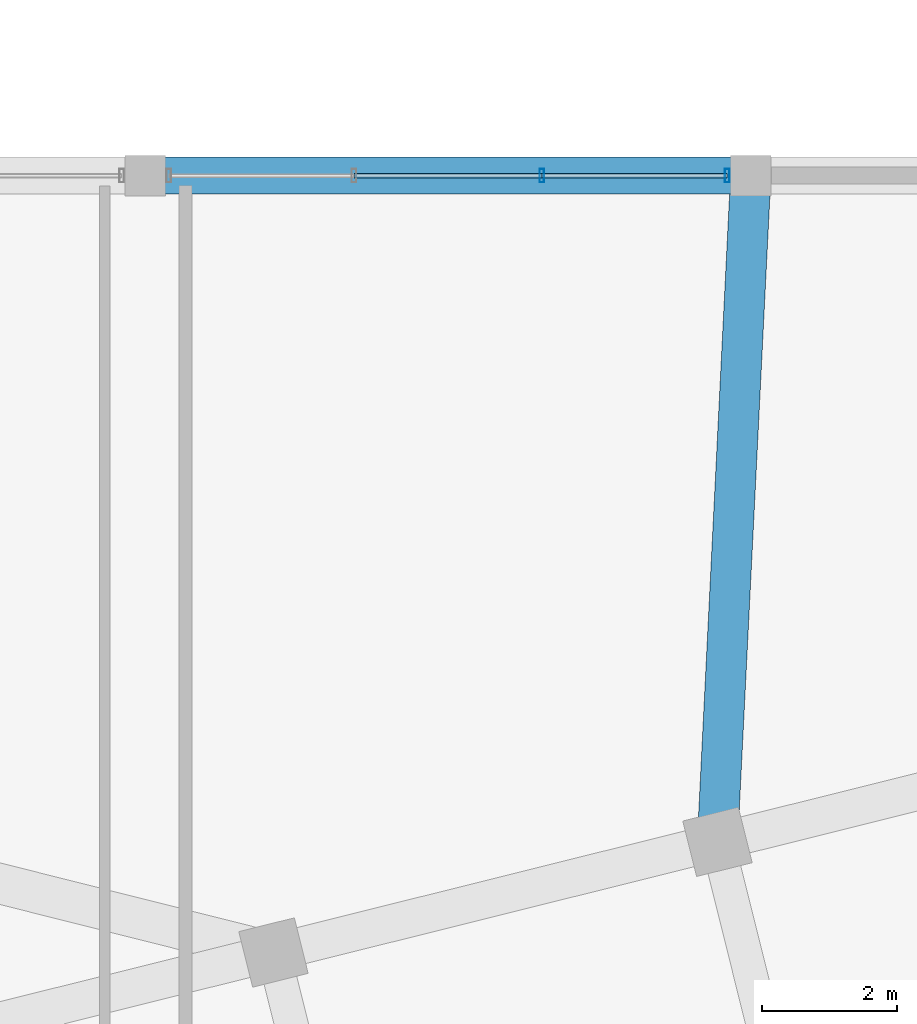
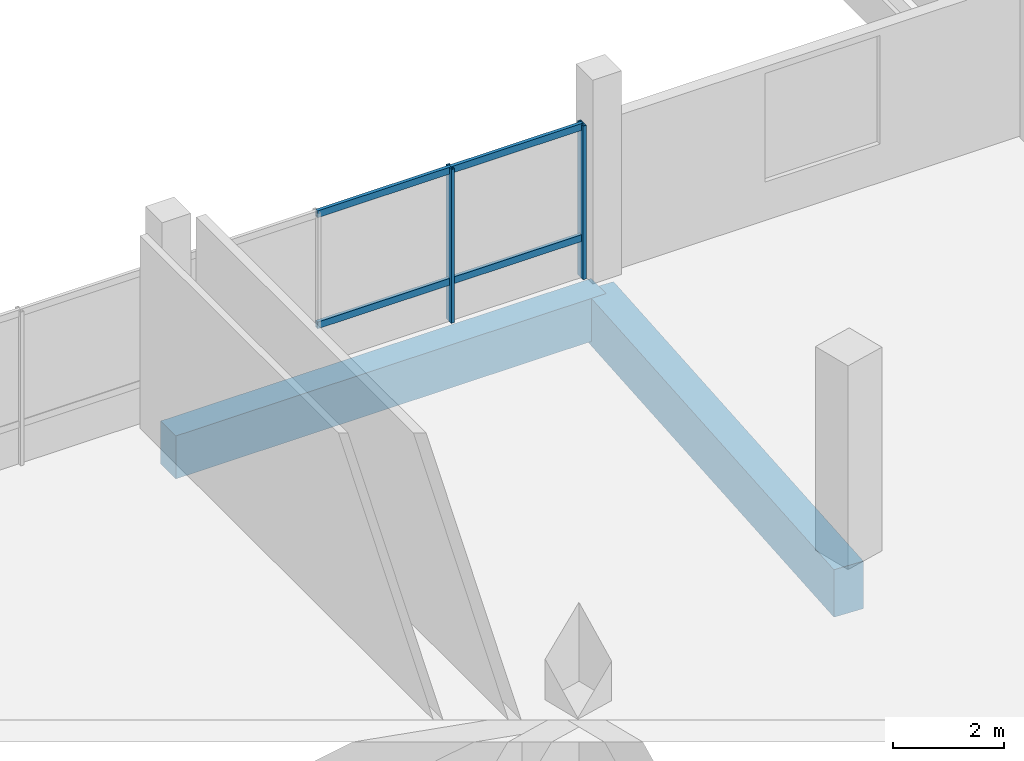
# One storey, part 41 of 77: 6 members, 2 beams, 1 element without a shape of its own.
"""IFC4 building model written with IfcOpenShell, lengths in metres."""

from ifc_helpers import new_model, si_unit, direction, frame, origin, origin_2d, place, context, subcontext, project, spatial, rectangle, hollow_rectangle, extrude, material, layer, layer_set, material_profile, profile_set, type_object, element, aggregate, save


model = new_model("IFC4")

# Units and contexts
model_context = context("Model", 3, precision=1e-05, world=origin(), true_north=direction((0.0, 1.0)))
body_context = subcontext(model_context, "Body", "Model", "MODEL_VIEW")
ifc_project = project(units=[si_unit("LENGTHUNIT", "METRE"), si_unit("AREAUNIT", "SQUARE_METRE"), si_unit("VOLUMEUNIT", "CUBIC_METRE"), si_unit("PLANEANGLEUNIT", "RADIAN"), si_unit("MASSUNIT", "GRAM", prefix="KILO")], contexts=[model_context])

# Site, building, storey
site_placement = place(None, origin())
site = spatial("IfcSite", under=ifc_project, at=site_placement, CompositionType="ELEMENT")
building_placement = place(site_placement, origin())
building = spatial("IfcBuilding", under=site, at=building_placement, Name="Meriwether Solvik Hall", CompositionType="ELEMENT")
storey_placement = place(building_placement, frame((0.0, 0.0, 9.89990234375)))
storey = spatial("IfcBuildingStorey", under=building, at=storey_placement, Name="L02", CompositionType="ELEMENT", Elevation=9.89990234375)

# Beams
ifc_material_1 = material(Name="Concrete C40/50", Category="concrete")
ifc_material_profile_1 = material_profile(ifc_material_1, rectangle(XDim=0.550048828125, YDim=0.949951171875, at=origin_2d()), Name="RCB-550X950")
ifc_profile_set_1 = profile_set([ifc_material_profile_1], Name="Concrete C40/50")
beam_type_1 = type_object("IfcBeamType", Name="BM-RC-550X950", PredefinedType="BEAM", material=ifc_profile_set_1)
beam_1_placement = place(storey_placement, frame((86.800048828125, 92.800048828125, -0.804931640625), z_axis=(1.0, 0.0, 0.0), x_axis=(0.0, 1.0, 0.0)))
element("IfcBeam", 1, at=beam_1_placement, inside=storey, type_object=beam_type_1, Name="Podium Girder K:10-11 (L02)", PredefinedType="BEAM", context=body_context, shape_type="SweptSolid", body=[
    extrude(rectangle(XDim=0.550048828125, YDim=0.949951171875, at=origin_2d()), origin(), (0.0, 0.0, 1.0), 9.0),
])
ifc_material_2 = material(Name="Concrete C40/50", Category="concrete")
ifc_material_profile_2 = material_profile(ifc_material_2, rectangle(XDim=0.60009765625, YDim=1.050048828125, at=origin_2d()), Name="RCB-600X1050")
ifc_profile_set_2 = profile_set([ifc_material_profile_2], Name="Concrete C40/50")
beam_type_2 = type_object("IfcBeamType", Name="BM-RC-600X1050", PredefinedType="BEAM", material=ifc_profile_set_2)
beam_2_placement = place(storey_placement, frame((95.305419921875, 82.899169921875, -0.85498046875), z_axis=(0.049895854105, 0.998754426144, 0.0), x_axis=(-0.998754426144, 0.049895854105, 0.0)))
element("IfcBeam", 2, at=beam_2_placement, inside=storey, type_object=beam_type_2, Name="Diaphragm Collector Girder T6/TF-11/K (L02)", PredefinedType="BEAM", context=body_context, shape_type="SweptSolid", body=[
    extrude(rectangle(XDim=0.60009765625, YDim=1.050048828125, at=origin_2d()), origin(), (0.0, 0.0, 1.0), 9.913330078125),
])

# Curtain wall, members
ifc_material_3 = material(Name="Thermally Broken Anodised Aluminium 6063-T6 and Low-E Glass", Category="aluminium")
ifc_layer = layer(ifc_material_3, 0.179931640625)
ifc_layer_set = layer_set([ifc_layer], Name="Thermally Broken Anodised Aluminium 6063-T6 and Low-E Glass")
curtain_wall_type = type_object("IfcCurtainWallType", Name="CW-SF-POD-C", PredefinedType="USERDEFINED", material=ifc_layer_set)
curtain_wall_placement = place(storey_placement, origin())
curtain_wall = element("IfcCurtainWall", 3, at=curtain_wall_placement, inside=storey, type_object=curtain_wall_type, Name="Curtain Wall wing_XK_10_15 (L02)", ObjectType="STICK STOREFRONT GLAZING", PredefinedType="USERDEFINED")
ifc_material_4 = material(Name="Anodised Aluminium 6063-T6", Category="aluminium")
ifc_material_profile_3 = material_profile(ifc_material_4, hollow_rectangle(XDim=0.070068359375, YDim=0.199951171875, WallThickness=0.0048828125, at=origin_2d()), Name="CWM-70X200")
ifc_profile_set_3 = profile_set([ifc_material_profile_3], Name="Anodised Aluminium 6063-T6")
member_type_1 = type_object("IfcMemberType", Name="CW-MUL-70X200", PredefinedType="MULLION", material=ifc_profile_set_3)
member_1_placement = place(storey_placement, frame((92.696044921875, 92.800048828125, 0.0), z_axis=(0.0, 0.0, 1.0), x_axis=(1.0, 0.0, 0.0)))
member_1 = element("IfcMember", 4, at=member_1_placement, type_object=member_type_1, Name="Curtain Wall Mullion 3", PredefinedType="MULLION", context=body_context, shape_type="SweptSolid", body=[
    extrude(hollow_rectangle(XDim=0.070068359375, YDim=0.199951171875, WallThickness=0.0048828125, at=origin_2d()), origin(), (0.0, 0.0, 1.0), 3.39501953125),
])
member_2_placement = place(storey_placement, frame((95.449951171875, 92.800048828125, 0.0), z_axis=(0.0, 0.0, 1.0), x_axis=(1.0, 0.0, 0.0)))
member_2 = element("IfcMember", 5, at=member_2_placement, type_object=member_type_1, Name="Curtain Wall Mullion 4", PredefinedType="MULLION", context=body_context, shape_type="SweptSolid", body=[
    extrude(hollow_rectangle(XDim=0.070068359375, YDim=0.199951171875, WallThickness=0.0048828125, at=origin_2d()), origin(), (0.0, 0.0, 1.0), 3.39501953125),
])
ifc_material_5 = material(Name="Anodised Aluminium 6063-T6", Category="aluminium")
ifc_material_profile_4 = material_profile(ifc_material_5, hollow_rectangle(XDim=0.070068359375, YDim=0.14990234375, WallThickness=0.0048828125, at=origin_2d()), Name="CWT-70X150")
ifc_profile_set_4 = profile_set([ifc_material_profile_4], Name="Anodised Aluminium 6063-T6")
member_type_2 = type_object("IfcMemberType", Name="CW-TRN-70X150", PredefinedType="USERDEFINED", material=ifc_profile_set_4)
member_3_placement = place(storey_placement, frame((89.904052734375, 92.800048828125, 0.880126953125), z_axis=(1.0, 0.0, 0.0), x_axis=(0.0, 1.0, 0.0)))
member_3 = element("IfcMember", 6, at=member_3_placement, type_object=member_type_2, Name="Curtain Wall Transom 2-sill", ObjectType="TRANSOM", PredefinedType="USERDEFINED", context=body_context, shape_type="SweptSolid", body=[
    extrude(hollow_rectangle(XDim=0.070068359375, YDim=0.14990234375, WallThickness=0.0048828125, at=origin_2d()), origin(), (0.0, 0.0, 1.0), 2.7919921875),
])
member_4_placement = place(storey_placement, frame((89.904052734375, 92.800048828125, 3.335205078125), z_axis=(1.0, 0.0, 0.0), x_axis=(0.0, 1.0, 0.0)))
member_4 = element("IfcMember", 7, at=member_4_placement, type_object=member_type_2, Name="Curtain Wall Transom 2-head", ObjectType="TRANSOM", PredefinedType="USERDEFINED", context=body_context, shape_type="SweptSolid", body=[
    extrude(hollow_rectangle(XDim=0.070068359375, YDim=0.14990234375, WallThickness=0.0048828125, at=origin_2d()), origin(), (0.0, 0.0, 1.0), 2.7919921875),
])
member_5_placement = place(storey_placement, frame((92.696044921875, 92.800048828125, 0.880126953125), z_axis=(1.0, 0.0, 0.0), x_axis=(0.0, 1.0, 0.0)))
member_5 = element("IfcMember", 8, at=member_5_placement, type_object=member_type_2, Name="Curtain Wall Transom 3-sill", ObjectType="TRANSOM", PredefinedType="USERDEFINED", context=body_context, shape_type="SweptSolid", body=[
    extrude(hollow_rectangle(XDim=0.070068359375, YDim=0.14990234375, WallThickness=0.0048828125, at=origin_2d()), origin(), (0.0, 0.0, 1.0), 2.75390625),
])
member_6_placement = place(storey_placement, frame((92.696044921875, 92.800048828125, 3.335205078125), z_axis=(1.0, 0.0, 0.0), x_axis=(0.0, 1.0, 0.0)))
member_6 = element("IfcMember", 9, at=member_6_placement, type_object=member_type_2, Name="Curtain Wall Transom 3-head", ObjectType="TRANSOM", PredefinedType="USERDEFINED", context=body_context, shape_type="SweptSolid", body=[
    extrude(hollow_rectangle(XDim=0.070068359375, YDim=0.14990234375, WallThickness=0.0048828125, at=origin_2d()), origin(), (0.0, 0.0, 1.0), 2.75390625),
])
aggregate(curtain_wall, [member_1, member_2, member_3, member_4, member_5, member_6])

save(model, "model.ifc")
